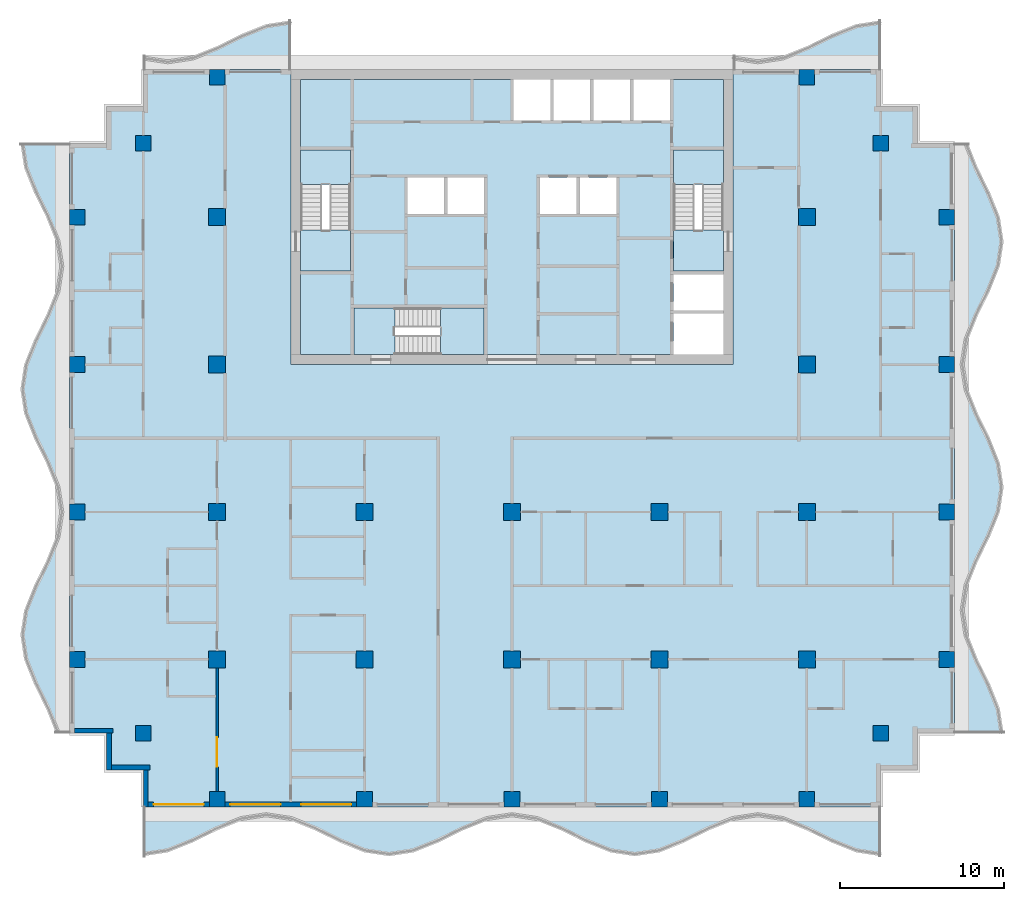
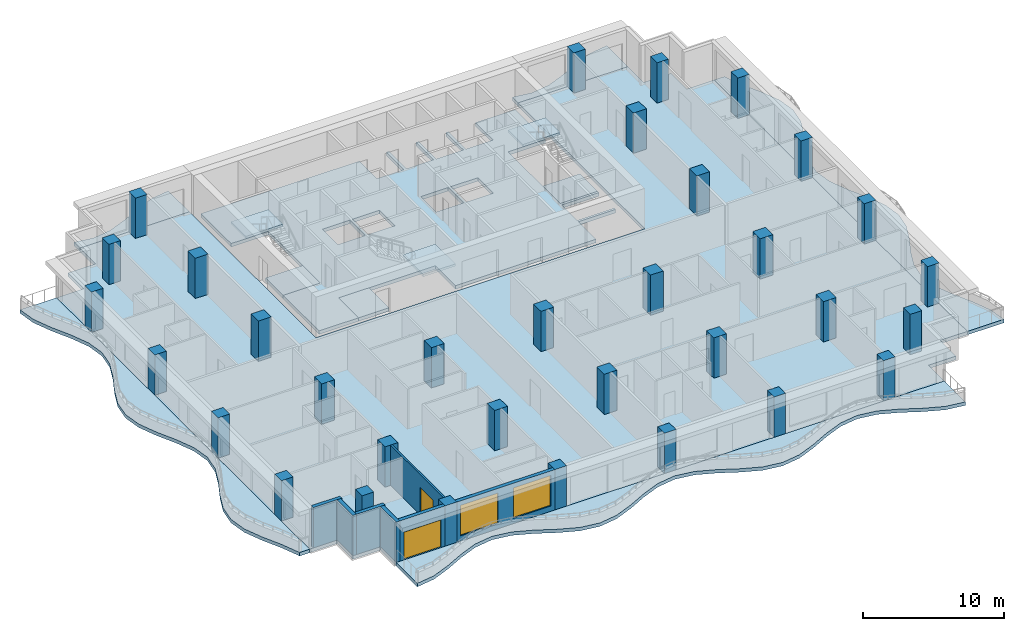
# One storey, part 1 of 11: 33 columns, 13 slabs, 7 walls, 2 doors, 2 windows, 4 openings, 3 elements without a shape of their own.
"""IFC4 building model written with IfcOpenShell, lengths in metres."""

from ifc_helpers import new_model, si_unit, direction, frame, frame_2d, origin, origin_2d, place, context, subcontext, project, spatial, polyline, rectangle, outline, extrude, material, layer, layer_set, material_profile, profile_set, type_object, element, fill, aggregate, save


model = new_model("IFC4")

# Units and contexts
model_context = context("Model", 3, precision=1e-05, world=origin(), true_north=direction((0.0, 1.0)))
body_context = subcontext(model_context, "Body", "Model", "MODEL_VIEW")
ifc_project = project(units=[si_unit("LENGTHUNIT", "METRE"), si_unit("AREAUNIT", "SQUARE_METRE"), si_unit("VOLUMEUNIT", "CUBIC_METRE"), si_unit("PLANEANGLEUNIT", "RADIAN"), si_unit("MASSUNIT", "GRAM", prefix="KILO")], contexts=[model_context])

# Site, building, storey
site_placement = place(None, origin())
site = spatial("IfcSite", under=ifc_project, at=site_placement, CompositionType="ELEMENT")
building_placement = place(site_placement, origin())
building = spatial("IfcBuilding", under=site, at=building_placement, Name="Orbiselva Terraces", CompositionType="ELEMENT")
storey_placement = place(building_placement, frame((0.0, 0.0, 218.6)))
storey = spatial("IfcBuildingStorey", under=building, at=storey_placement, Name="L55", CompositionType="ELEMENT", Elevation=218.6)

# Columns
ifc_material_1 = material(Name="Concrete C50/60", Category="concrete")
ifc_material_profile_1 = material_profile(ifc_material_1, rectangle(XDim=1.05, YDim=1.05, at=origin_2d()), Name="RC 1050x1050")
ifc_profile_set_1 = profile_set([ifc_material_profile_1], Name="Concrete C50/60")
column_type_1 = type_object("IfcColumnType", Name="COLUMN RC 1050x1050", PredefinedType="COLUMN", material=ifc_profile_set_1)
for number, where, z_axis, x_axis, name in (
    (1, (-18.0, -13.5, 0.0), (0.0, 0.0, 1.0), (1.0, 0.0, 0.0), "Column L55-01"),
    (2, (-18.0, -4.5, 0.0), (0.0, 0.0, 1.0), (1.0, 0.0, 0.0), "Column L55-03"),
    (3, (-18.0, 13.5, 0.0), (0.0, 0.0, 1.0), (1.0, 0.0, 0.0), "Column L55-04"),
    (4, (-18.0, 4.5, 0.0), (0.0, 0.0, 1.0), (1.0, 0.0, 0.0), "Column L55-06"),
    (5, (-9.0, -13.5, 0.0), (0.0, 0.0, 1.0), (1.0, 0.0, 0.0), "Column L55-13"),
    (6, (-9.0, -4.5, 0.0), (0.0, 0.0, 1.0), (1.0, 0.0, 0.0), "Column L55-15"),
    (7, (0.0, -13.5, 0.0), (0.0, 0.0, 1.0), (1.0, 0.0, 0.0), "Column L55-16"),
    (8, (0.0, -4.5, 0.0), (0.0, 0.0, 1.0), (1.0, 0.0, 0.0), "Column L55-18"),
    (9, (18.0, -13.5, 0.0), (0.0, 0.0, 1.0), (1.0, 0.0, 0.0), "Column L55-19"),
    (10, (18.0, -4.5, 0.0), (0.0, 0.0, 1.0), (1.0, 0.0, 0.0), "Column L55-21"),
    (11, (18.0, 13.5, 0.0), (0.0, 0.0, 1.0), (1.0, 0.0, 0.0), "Column L55-22"),
    (12, (18.0, 4.5, 0.0), (0.0, 0.0, 1.0), (1.0, 0.0, 0.0), "Column L55-24"),
    (13, (9.0, -13.5, 0.0), (0.0, 0.0, 1.0), (1.0, 0.0, 0.0), "Column L55-31"),
    (14, (9.0, -4.5, 0.0), (0.0, 0.0, 1.0), (1.0, 0.0, 0.0), "Column L55-33"),
):
    element("IfcColumn", number, at=place(storey_placement, frame(where, z_axis=z_axis, x_axis=x_axis)), inside=storey, type_object=column_type_1, Name=name, PredefinedType="COLUMN", context=body_context, shape_type="SweptSolid", body=[
        extrude(rectangle(XDim=1.05, YDim=1.05, at=origin_2d()), origin(), (0.0, 0.0, 1.0), 3.5),
    ])
ifc_material_profile_2 = material_profile(ifc_material_1, rectangle(XDim=0.95, YDim=0.95, at=origin_2d()), Name="RC 950x950")
ifc_profile_set_2 = profile_set([ifc_material_profile_2], Name="Concrete C50/60")
column_type_2 = type_object("IfcColumnType", Name="PERIMETER COLUMN RC 950x950", PredefinedType="COLUMN", material=ifc_profile_set_2)
for number, where, z_axis, x_axis, name in (
    (15, (-18.0, -22.025, 0.0), (0.0, 0.0, 1.0), (1.0, 0.0, 0.0), "Column L55-02"),
    (16, (-18.0, 22.025, 0.0), (0.0, 0.0, 1.0), (1.0, 0.0, 0.0), "Column L55-05"),
    (17, (-26.525, -13.5, 0.0), (0.0, 0.0, 1.0), (1.0, 0.0, 0.0), "Column L55-07"),
    (18, (-22.5, -18.0, 0.0), (0.0, 0.0, 1.0), (1.0, 0.0, 0.0), "Column L55-08"),
    (19, (-26.525, -4.5, 0.0), (0.0, 0.0, 1.0), (1.0, 0.0, 0.0), "Column L55-09"),
    (20, (-26.525, 13.5, 0.0), (0.0, 0.0, 1.0), (1.0, 0.0, 0.0), "Column L55-10"),
    (21, (-22.5, 18.0, 0.0), (0.0, 0.0, 1.0), (1.0, 0.0, 0.0), "Column L55-11"),
    (22, (-26.525, 4.5, 0.0), (0.0, 0.0, 1.0), (1.0, 0.0, 0.0), "Column L55-12"),
    (23, (-9.0, -22.025, 0.0), (0.0, 0.0, 1.0), (1.0, 0.0, 0.0), "Column L55-14"),
    (24, (0.0, -22.025, 0.0), (0.0, 0.0, 1.0), (1.0, 0.0, 0.0), "Column L55-17"),
    (25, (18.0, -22.025, 0.0), (0.0, 0.0, 1.0), (1.0, 0.0, 0.0), "Column L55-20"),
    (26, (18.0, 22.025, 0.0), (0.0, 0.0, 1.0), (1.0, 0.0, 0.0), "Column L55-23"),
    (27, (26.525, -13.5, 0.0), (0.0, 0.0, 1.0), (1.0, 0.0, 0.0), "Column L55-25"),
    (28, (22.5, -18.0, 0.0), (0.0, 0.0, 1.0), (1.0, 0.0, 0.0), "Column L55-26"),
    (29, (26.525, -4.5, 0.0), (0.0, 0.0, 1.0), (1.0, 0.0, 0.0), "Column L55-27"),
    (30, (26.525, 13.5, 0.0), (0.0, 0.0, 1.0), (1.0, 0.0, 0.0), "Column L55-28"),
    (31, (22.5, 18.0, 0.0), (0.0, 0.0, 1.0), (1.0, 0.0, 0.0), "Column L55-29"),
    (32, (26.525, 4.5, 0.0), (0.0, 0.0, 1.0), (1.0, 0.0, 0.0), "Column L55-30"),
    (33, (9.0, -22.025, 0.0), (0.0, 0.0, 1.0), (1.0, 0.0, 0.0), "Column L55-32"),
):
    element("IfcColumn", number, at=place(storey_placement, frame(where, z_axis=z_axis, x_axis=x_axis)), inside=storey, type_object=column_type_2, Name=name, PredefinedType="COLUMN", context=body_context, shape_type="SweptSolid", body=[
        extrude(rectangle(XDim=0.95, YDim=0.95, at=origin_2d()), origin(), (0.0, 0.0, 1.0), 3.5),
    ])

# Slabs
ifc_material_2 = material(Name="Concrete C40/50", Category="concrete")
ifc_layer_1 = layer(ifc_material_2, 0.3)
ifc_layer_set_1 = layer_set([ifc_layer_1], Name="Concrete C40/50")
slab_type_1 = type_object("IfcSlabType", Name="CORE-SLAB-FLOOR-300", PredefinedType="FLOOR", material=ifc_layer_set_1)
slab_1_placement = place(storey_placement, frame((0.0, 0.0, -0.3)))
element("IfcSlab", 34, at=slab_1_placement, inside=storey, type_object=slab_type_1, Name="L55 S1 floor landing", PredefinedType="FLOOR", context=body_context, shape_type="SweptSolid", body=[
    extrude(outline(polyline([(-12.9, 12.7), (-9.85, 12.7), (-9.85, 10.2), (-12.9, 10.2), (-12.9, 12.7)])), origin(), (0.0, 0.0, 1.0), 0.3),
])
slab_2_placement = place(storey_placement, frame((0.0, 0.0, -0.3)))
element("IfcSlab", 35, at=slab_2_placement, inside=storey, type_object=slab_type_1, Name="L55 S2 floor landing", PredefinedType="FLOOR", context=body_context, shape_type="SweptSolid", body=[
    extrude(outline(polyline([(12.9, 12.7), (12.9, 10.2), (9.85, 10.2), (9.85, 12.7), (12.9, 12.7)])), origin(), (0.0, 0.0, 1.0), 0.3),
])
slab_3_placement = place(storey_placement, frame((0.0, 0.0, -0.3)))
element("IfcSlab", 36, at=slab_3_placement, inside=storey, type_object=slab_type_1, Name="L55 S3 floor landing", PredefinedType="FLOOR", context=body_context, shape_type="SweptSolid", body=[
    extrude(outline(polyline([(-7.15, 5.1), (-9.65, 5.1), (-9.65, 7.95), (-7.15, 7.95), (-7.15, 5.1)])), origin(), (0.0, 0.0, 1.0), 0.3),
])
slab_4_placement = place(storey_placement, frame((0.0, 0.0, -0.3)))
element("IfcSlab", 37, at=slab_4_placement, inside=storey, type_object=slab_type_1, Name="L55 core floor slab 1", PredefinedType="FLOOR", context=body_context, shape_type="SweptSolid", body=[
    extrude(outline(polyline([(-1.7, 5.1), (-1.7, 7.95), (-9.65, 7.95), (-9.65, 5.1), (-12.9, 5.1), (-12.9, 10.2), (-9.85, 10.2), (-9.85, 17.6), (-12.9, 17.6), (-12.9, 21.9), (0.1, 21.9), (0.1, 19.4), (2.3375, 19.4), (2.3375, 21.9), (2.5375, 21.9), (2.5375, 19.4), (4.775, 19.4), (4.775, 21.9), (4.975, 21.9), (4.975, 19.4), (7.2125, 19.4), (7.2125, 21.9), (7.4125, 21.9), (7.4125, 19.4), (9.65, 19.4), (9.65, 21.9), (12.9, 21.9), (12.9, 17.6), (9.85, 17.6), (9.85, 10.2), (12.9, 10.2), (12.9, 10.0), (9.85, 10.0), (9.85, 7.8), (12.9, 7.8), (12.9, 7.6), (9.85, 7.6), (9.85, 5.1), (-1.7, 5.1)]), holes=[polyline([(-4.1375, 13.7), (-4.1375, 15.9), (-6.375, 15.9), (-6.375, 13.7), (-4.1375, 13.7)]), polyline([(-1.7, 13.7), (-1.7, 15.9), (-3.9375, 15.9), (-3.9375, 13.7), (-1.7, 13.7)]), polyline([(3.9375, 15.9), (1.7, 15.9), (1.7, 13.7), (3.9375, 13.7), (3.9375, 15.9)]), polyline([(6.375, 13.7), (6.375, 15.9), (4.1375, 15.9), (4.1375, 13.7), (6.375, 13.7)])]), origin(), (0.0, 0.0, 1.0), 0.3),
])

# Stair, slab
stair_type_1 = type_object("IfcStairType", Name="CORE-STAIR-1300", PredefinedType="HALF_TURN_STAIR", material=ifc_material_2)
stair_1_placement = place(storey_placement, origin())
stair_1 = element("IfcStair", 38, at=stair_1_placement, inside=storey, type_object=stair_type_1, Name="L55 Exit Stair S1", PredefinedType="HALF_TURN_STAIR")
ifc_layer_2 = layer(ifc_material_2, 0.2)
ifc_layer_set_2 = layer_set([ifc_layer_2], Name="Concrete C40/50")
slab_type_2 = type_object("IfcSlabType", Name="CORE-STAIR-LANDING-200", PredefinedType="LANDING", material=ifc_layer_set_2)
slab_5_placement = place(storey_placement, frame((0.0, 0.0, 1.7)))
slab_5 = element("IfcSlab", 39, at=slab_5_placement, type_object=slab_type_2, Name="S1 landing 1", PredefinedType="LANDING", context=body_context, shape_type="SweptSolid", body=[
    extrude(outline(polyline([(-9.85, 15.5), (-9.85, 17.6), (-12.9, 17.6), (-12.9, 15.5), (-9.85, 15.5)])), origin(), (0.0, 0.0, 1.0), 0.2),
])
aggregate(stair_1, [slab_5])

stair_2_placement = place(storey_placement, origin())
stair_2 = element("IfcStair", 40, at=stair_2_placement, inside=storey, type_object=stair_type_1, Name="L55 Exit Stair S2", PredefinedType="HALF_TURN_STAIR")
slab_6_placement = place(storey_placement, frame((0.0, 0.0, 1.7)))
slab_6 = element("IfcSlab", 41, at=slab_6_placement, type_object=slab_type_2, Name="S2 landing 1", PredefinedType="LANDING", context=body_context, shape_type="SweptSolid", body=[
    extrude(outline(polyline([(12.9, 15.5), (12.9, 17.6), (9.85, 17.6), (9.85, 15.5), (12.9, 15.5)])), origin(), (0.0, 0.0, 1.0), 0.2),
])
aggregate(stair_2, [slab_6])

stair_type_2 = type_object("IfcStairType", Name="CORE-STAIR-1200", PredefinedType="HALF_TURN_STAIR", material=ifc_material_2)
stair_3_placement = place(storey_placement, origin())
stair_3 = element("IfcStair", 42, at=stair_3_placement, inside=storey, type_object=stair_type_2, Name="L55 Exit Stair S3", PredefinedType="HALF_TURN_STAIR")
slab_7_placement = place(storey_placement, frame((0.0, 0.0, 1.7)))
slab_7 = element("IfcSlab", 43, at=slab_7_placement, type_object=slab_type_2, Name="S3 landing 1", PredefinedType="LANDING", context=body_context, shape_type="SweptSolid", body=[
    extrude(outline(polyline([(-4.35, 5.1), (-1.7, 5.1), (-1.7, 7.95), (-4.35, 7.95), (-4.35, 5.1)])), origin(), (0.0, 0.0, 1.0), 0.2),
])
aggregate(stair_3, [slab_7])

# Slabs
ifc_layer_3 = layer(ifc_material_1, 0.3)
ifc_layer_set_3 = layer_set([ifc_layer_3], Name="Concrete C50/60")
slab_type_3 = type_object("IfcSlabType", Name="ENV-BALCONY-SLAB-300", PredefinedType="FLOOR", material=ifc_layer_set_3)
slab_8_placement = place(storey_placement, frame((0.0, 0.0, -0.3)))
element("IfcSlab", 44, at=slab_8_placement, inside=storey, type_object=slab_type_3, Name="Balcony slab L55 S", PredefinedType="FLOOR", context=body_context, shape_type="SweptSolid", body=[
    extrude(outline(polyline([(-22.5, -25.5), (-21.0, -25.27082), (-19.5, -24.67082), (-18.0, -23.92918), (-16.5, -23.32918), (-15.0, -23.1), (-13.5, -23.32918), (-12.0, -23.92918), (-10.5, -24.67082), (-9.0, -25.27082), (-7.5, -25.5), (-6.0, -25.27082), (-4.5, -24.67082), (-3.0, -23.92918), (-1.5, -23.32918), (0.0, -23.1), (1.5, -23.32918), (3.0, -23.92918), (4.5, -24.67082), (6.0, -25.27082), (7.5, -25.5), (9.0, -25.27082), (10.5, -24.67082), (12.0, -23.92918), (13.5, -23.32918), (15.0, -23.1), (16.5, -23.32918), (18.0, -23.92918), (19.5, -24.67082), (21.0, -25.27082), (22.5, -25.5), (22.5, -22.5), (-22.5, -22.5), (-22.5, -25.5)])), origin(), (0.0, 0.0, 1.0), 0.3),
])
slab_9_placement = place(storey_placement, frame((0.0, 0.0, -0.3)))
element("IfcSlab", 45, at=slab_9_placement, inside=storey, type_object=slab_type_3, Name="Balcony slab L55 E", PredefinedType="FLOOR", context=body_context, shape_type="SweptSolid", body=[
    extrude(outline(polyline([(30.0, -18.0), (29.77082, -16.5), (29.17082, -15.0), (28.42918, -13.5), (27.82918, -12.0), (27.6, -10.5), (27.82918, -9.0), (28.42918, -7.5), (29.17082, -6.0), (29.77082, -4.5), (30.0, -3.0), (29.77082, -1.5), (29.17082, 0.0), (28.42918, 1.5), (27.82918, 3.0), (27.6, 4.5), (27.82918, 6.0), (28.42918, 7.5), (29.17082, 9.0), (29.77082, 10.5), (30.0, 12.0), (29.77082, 13.5), (29.17082, 15.0), (28.42918, 16.5), (27.82918, 18.0), (27.0, 18.0), (27.0, -18.0), (30.0, -18.0)])), origin(), (0.0, 0.0, 1.0), 0.3),
])
slab_10_placement = place(storey_placement, frame((0.0, 0.0, -0.3)))
element("IfcSlab", 46, at=slab_10_placement, inside=storey, type_object=slab_type_3, Name="Balcony slab L55 NE", PredefinedType="FLOOR", context=body_context, shape_type="SweptSolid", body=[
    extrude(outline(polyline([(22.5, 25.5), (21.0, 25.27082), (19.5, 24.67082), (18.0, 23.92918), (16.5, 23.32918), (15.0, 23.1), (13.5, 23.32918), (13.5, 22.5), (22.5, 22.5), (22.5, 25.5)])), origin(), (0.0, 0.0, 1.0), 0.3),
])
slab_11_placement = place(storey_placement, frame((0.0, 0.0, -0.3)))
element("IfcSlab", 47, at=slab_11_placement, inside=storey, type_object=slab_type_3, Name="Balcony slab L55 NW", PredefinedType="FLOOR", context=body_context, shape_type="SweptSolid", body=[
    extrude(outline(polyline([(-13.5, 25.5), (-15.0, 25.27082), (-16.5, 24.67082), (-18.0, 23.92918), (-19.5, 23.32918), (-21.0, 23.1), (-22.5, 23.32918), (-22.5, 22.5), (-13.5, 22.5), (-13.5, 25.5)])), origin(), (0.0, 0.0, 1.0), 0.3),
])
slab_12_placement = place(storey_placement, frame((0.0, 0.0, -0.3)))
element("IfcSlab", 48, at=slab_12_placement, inside=storey, type_object=slab_type_3, Name="Balcony slab L55 W", PredefinedType="FLOOR", context=body_context, shape_type="SweptSolid", body=[
    extrude(outline(polyline([(-30.0, 18.0), (-29.77082, 16.5), (-29.17082, 15.0), (-28.42918, 13.5), (-27.82918, 12.0), (-27.6, 10.5), (-27.82918, 9.0), (-28.42918, 7.5), (-29.17082, 6.0), (-29.77082, 4.5), (-30.0, 3.0), (-29.77082, 1.5), (-29.17082, 0.0), (-28.42918, -1.5), (-27.82918, -3.0), (-27.6, -4.5), (-27.82918, -6.0), (-28.42918, -7.5), (-29.17082, -9.0), (-29.77082, -10.5), (-30.0, -12.0), (-29.77082, -13.5), (-29.17082, -15.0), (-28.42918, -16.5), (-27.82918, -18.0), (-27.0, -18.0), (-27.0, 18.0), (-30.0, 18.0)])), origin(), (0.0, 0.0, 1.0), 0.3),
])
ifc_layer_4 = layer(ifc_material_1, 0.3)
ifc_layer_set_4 = layer_set([ifc_layer_4], Name="Concrete C50/60")
slab_type_4 = type_object("IfcSlabType", Name="FLOOR SLAB 300", PredefinedType="FLOOR", material=ifc_layer_set_4)
slab_13_placement = place(storey_placement, frame((0.0, 0.0, -0.3)))
element("IfcSlab", 49, at=slab_13_placement, inside=storey, type_object=slab_type_4, Name="Floor slab L55", PredefinedType="FLOOR", context=body_context, shape_type="SweptSolid", body=[
    extrude(outline(polyline([(22.5, 22.5), (22.5, 20.25), (24.75, 20.25), (24.75, 18.0), (27.0, 18.0), (27.0, -18.0), (24.75, -18.0), (24.75, -20.25), (22.5, -20.25), (22.5, -22.5), (-22.5, -22.5), (-22.5, -20.25), (-24.75, -20.25), (-24.75, -18.0), (-27.0, -18.0), (-27.0, 18.0), (-24.75, 18.0), (-24.75, 20.25), (-22.5, 20.25), (-22.5, 22.5), (-13.5, 22.5), (-13.5, 4.5), (13.5, 4.5), (13.5, 22.5), (22.5, 22.5)])), origin(), (0.0, 0.0, 1.0), 0.3),
])

# Wall, opening, door
ifc_material_3 = material(Name="Terracotta cladding on masonry backing", Category="masonry")
ifc_layer_5 = layer(ifc_material_3, 0.3)
ifc_layer_set_5 = layer_set([ifc_layer_5], Name="Terracotta cladding on masonry backing")
wall_type_1 = type_object("IfcWallType", Name="ENV-WALL-TERRACOTTA-300", PredefinedType="SOLIDWALL", material=ifc_layer_set_5)
wall_1_placement = place(storey_placement, frame((-18.475, -22.35, 0.0), z_axis=(0.0, 0.0, 1.0), x_axis=(-1.0, 0.0, 0.0)))
wall_1 = element("IfcWall", 50, at=wall_1_placement, inside=storey, type_object=wall_type_1, Name="Facade wall L55 S", PredefinedType="SOLIDWALL", context=body_context, shape_type="SweptSolid", body=[
    extrude(rectangle(XDim=3.725, YDim=0.3, at=frame_2d((1.8625, 0.0))), origin(), (0.0, 0.0, 1.0), 3.5),
])
opening_1_placement = place(wall_1_placement, frame((0.325, 0.0, 0.0)))
opening_1 = element("IfcOpeningElement", 51, at=opening_1_placement, cuts=wall_1, Name="Opening Z4-D-E01", PredefinedType="OPENING", context=body_context, shape_type="SweptSolid", body=[
    extrude(rectangle(XDim=3.075, YDim=2.4, at=frame_2d((1.5375, 1.2))), frame((0.0, 0.16, 0.0), z_axis=(0.0, -1.0, 0.0), x_axis=(1.0, 0.0, 0.0)), (0.0, 0.0, 1.0), 0.32),
])
ifc_material_4 = material(Name="Clear low-e glazing in aluminium frame", Category="aluminium")
door_type_1 = type_object("IfcDoorType", Name="BALCONY DOOR 3075 X 2400", OperationType="DOUBLE_DOOR_SLIDING", PredefinedType="DOOR", material=ifc_material_4)
door_1_placement = place(opening_1_placement, origin())
door_1 = element("IfcDoor", 52, at=door_1_placement, inside=storey, type_object=door_type_1, Name="Z4-D-E01", OperationType="SINGLE_SWING_LEFT", OverallHeight=2.4, OverallWidth=3.075, PredefinedType="DOOR", context=body_context, shape_type="SweptSolid", body=[
    extrude(rectangle(XDim=3.075, YDim=2.4, at=frame_2d((1.5375, 1.2))), frame((0.0, 0.025, 0.0), z_axis=(0.0, -1.0, 0.0), x_axis=(1.0, 0.0, 0.0)), (0.0, 0.0, 1.0), 0.05),
])
fill(opening_1, door_1)

# Wall, openings, windows
wall_2_placement = place(storey_placement, frame((-9.475, -22.35, 0.0), z_axis=(0.0, 0.0, 1.0), x_axis=(-1.0, 0.0, 0.0)))
wall_2 = element("IfcWall", 53, at=wall_2_placement, inside=storey, type_object=wall_type_1, Name="Facade wall L55 S", PredefinedType="SOLIDWALL", context=body_context, shape_type="SweptSolid", body=[
    extrude(rectangle(XDim=8.05, YDim=0.3, at=frame_2d((4.025, 0.0))), origin(), (0.0, 0.0, 1.0), 3.5),
])
opening_2_placement = place(wall_2_placement, frame((4.65, 0.0, 0.45)))
opening_2 = element("IfcOpeningElement", 54, at=opening_2_placement, cuts=wall_2, Name="Opening WN15", PredefinedType="OPENING", context=body_context, shape_type="SweptSolid", body=[
    extrude(rectangle(XDim=3.075, YDim=2.65, at=frame_2d((1.5375, 1.325))), frame((0.0, 0.16, 0.0), z_axis=(0.0, -1.0, 0.0), x_axis=(1.0, 0.0, 0.0)), (0.0, 0.0, 1.0), 0.32),
])
opening_3_placement = place(wall_2_placement, frame((0.325, 0.0, 0.45)))
opening_3 = element("IfcOpeningElement", 55, at=opening_3_placement, cuts=wall_2, Name="Opening WN15", PredefinedType="OPENING", context=body_context, shape_type="SweptSolid", body=[
    extrude(rectangle(XDim=3.075, YDim=2.65, at=frame_2d((1.5375, 1.325))), frame((0.0, 0.16, 0.0), z_axis=(0.0, -1.0, 0.0), x_axis=(1.0, 0.0, 0.0)), (0.0, 0.0, 1.0), 0.32),
])
window_type = type_object("IfcWindowType", Name="WINDOW 3075 X 2650 S450", PartitioningType="TRIPLE_PANEL_VERTICAL", PredefinedType="WINDOW", material=ifc_material_4)
window_1_placement = place(opening_2_placement, origin())
window_1 = element("IfcWindow", 56, at=window_1_placement, inside=storey, type_object=window_type, Name="Window L55 S", OverallHeight=2.65, OverallWidth=3.075, PartitioningType="SINGLE_PANEL", PredefinedType="WINDOW", context=body_context, shape_type="SweptSolid", body=[
    extrude(rectangle(XDim=3.075, YDim=2.65, at=frame_2d((1.5375, 1.325))), frame((0.0, 0.03, 0.0), z_axis=(0.0, -1.0, 0.0), x_axis=(1.0, 0.0, 0.0)), (0.0, 0.0, 1.0), 0.06),
])
fill(opening_2, window_1)
window_2_placement = place(opening_3_placement, origin())
window_2 = element("IfcWindow", 57, at=window_2_placement, inside=storey, type_object=window_type, Name="Window L55 S", OverallHeight=2.65, OverallWidth=3.075, PartitioningType="SINGLE_PANEL", PredefinedType="WINDOW", context=body_context, shape_type="SweptSolid", body=[
    extrude(rectangle(XDim=3.075, YDim=2.65, at=frame_2d((1.5375, 1.325))), frame((0.0, 0.03, 0.0), z_axis=(0.0, -1.0, 0.0), x_axis=(1.0, 0.0, 0.0)), (0.0, 0.0, 1.0), 0.06),
])
fill(opening_3, window_2)

# Walls
wall_3_placement = place(storey_placement, frame((-24.35, -17.85, 0.0), z_axis=(0.0, 0.0, 1.0), x_axis=(-1.0, 0.0, 0.0)))
element("IfcWall", 58, at=wall_3_placement, inside=storey, type_object=wall_type_1, Name="Facade wall L55 STEP", PredefinedType="SOLIDWALL", context=body_context, shape_type="SweptSolid", body=[
    extrude(rectangle(XDim=2.35, YDim=0.3, at=frame_2d((1.175, 0.0))), origin(), (0.0, 0.0, 1.0), 3.5),
])
wall_4_placement = place(storey_placement, frame((-24.6, -20.25, 0.0), z_axis=(0.0, 0.0, 1.0), x_axis=(0.0, 1.0, 0.0)))
element("IfcWall", 59, at=wall_4_placement, inside=storey, type_object=wall_type_1, Name="Facade wall L55 STEP", PredefinedType="SOLIDWALL", context=body_context, shape_type="SweptSolid", body=[
    extrude(rectangle(XDim=2.25, YDim=0.3, at=frame_2d((1.125, 0.0))), origin(), (0.0, 0.0, 1.0), 3.5),
])
wall_5_placement = place(storey_placement, frame((-22.1, -20.1, 0.0), z_axis=(0.0, 0.0, 1.0), x_axis=(-1.0, 0.0, 0.0)))
element("IfcWall", 60, at=wall_5_placement, inside=storey, type_object=wall_type_1, Name="Facade wall L55 STEP", PredefinedType="SOLIDWALL", context=body_context, shape_type="SweptSolid", body=[
    extrude(rectangle(XDim=2.35, YDim=0.3, at=frame_2d((1.175, 0.0))), origin(), (0.0, 0.0, 1.0), 3.5),
])
wall_6_placement = place(storey_placement, frame((-22.35, -22.5, 0.0), z_axis=(0.0, 0.0, 1.0), x_axis=(0.0, 1.0, 0.0)))
element("IfcWall", 61, at=wall_6_placement, inside=storey, type_object=wall_type_1, Name="Facade wall L55 STEP", PredefinedType="SOLIDWALL", context=body_context, shape_type="SweptSolid", body=[
    extrude(rectangle(XDim=2.25, YDim=0.3, at=frame_2d((1.125, 0.0))), origin(), (0.0, 0.0, 1.0), 3.5),
])

# Wall, opening, door
ifc_material_5 = material(Name="Plasterboard on steel stud partition", Category="steel")
ifc_layer_6 = layer(ifc_material_5, 0.15)
ifc_layer_set_6 = layer_set([ifc_layer_6], Name="Plasterboard on steel stud partition")
wall_type_2 = type_object("IfcWallType", Name="UNIT-PARTITION-150", PredefinedType="PARTITIONING", material=ifc_layer_set_6)
wall_7_placement = place(storey_placement, frame((-18.0, -21.55, 0.0), z_axis=(0.0, 0.0, 1.0), x_axis=(0.0, 1.0, 0.0)))
wall_7 = element("IfcWall", 62, at=wall_7_placement, inside=storey, type_object=wall_type_2, Name="PARTITION L55-047", PredefinedType="PARTITIONING", context=body_context, shape_type="SweptSolid", body=[
    extrude(rectangle(XDim=7.525, YDim=0.15, at=frame_2d((3.7625, 0.0))), origin(), (0.0, 0.0, 1.0), 3.5),
])
opening_4_placement = place(wall_7_placement, frame((1.5, 0.0, 0.0)))
opening_4 = element("IfcOpeningElement", 63, at=opening_4_placement, cuts=wall_7, Name="Opening Z4-D-22", PredefinedType="OPENING", context=body_context, shape_type="SweptSolid", body=[
    extrude(rectangle(XDim=1.8, YDim=2.4, at=frame_2d((0.9, 1.2))), frame((0.0, 0.085, 0.0), z_axis=(0.0, -1.0, 0.0), x_axis=(1.0, 0.0, 0.0)), (0.0, 0.0, 1.0), 0.17),
])
ifc_material_6 = material(Name="Painted timber door leaf", Category="wood")
door_type_2 = type_object("IfcDoorType", Name="DOUBLE DOOR 1800", OperationType="NOTDEFINED", PredefinedType="DOOR", material=ifc_material_6)
door_2_placement = place(opening_4_placement, origin())
door_2 = element("IfcDoor", 64, at=door_2_placement, inside=storey, type_object=door_type_2, Name="Z4-D-22", OperationType="DOUBLE_DOOR_SINGLE_SWING", OverallHeight=2.4, OverallWidth=1.8, PredefinedType="DOOR", context=body_context, shape_type="SweptSolid", body=[
    extrude(rectangle(XDim=1.8, YDim=2.4, at=frame_2d((0.9, 1.2))), frame((0.0, 0.025, 0.0), z_axis=(0.0, -1.0, 0.0), x_axis=(1.0, 0.0, 0.0)), (0.0, 0.0, 1.0), 0.05),
])
fill(opening_4, door_2)

save(model, "model.ifc")
